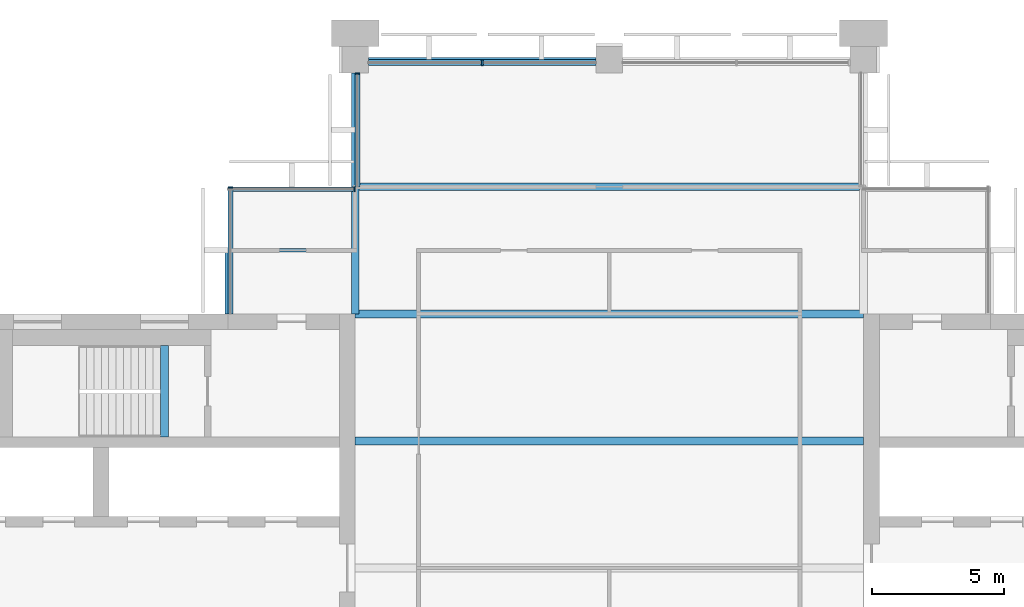
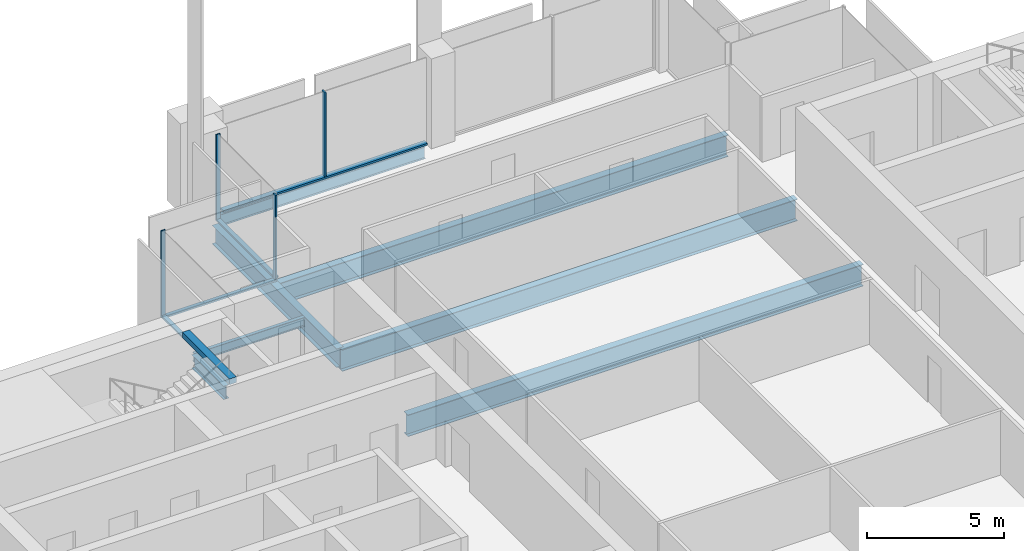
# One storey, part 5 of 13: 8 beams, 8 members, 4 elements without a shape of their own.
"""IFC4 building model written with IfcOpenShell, lengths in metres."""

from ifc_helpers import new_model, si_unit, direction, frame, origin, origin_2d, place, context, subcontext, project, spatial, rectangle, i_section, extrude, material, material_profile, profile_set, type_object, element, aggregate, save


model = new_model("IFC4")

# Units and contexts
model_context = context("Model", 3, precision=1e-05, world=origin(), true_north=direction((0.0, 1.0)))
body_context = subcontext(model_context, "Body", "Model", "MODEL_VIEW")
ifc_project = project(units=[si_unit("LENGTHUNIT", "METRE"), si_unit("AREAUNIT", "SQUARE_METRE"), si_unit("VOLUMEUNIT", "CUBIC_METRE"), si_unit("PLANEANGLEUNIT", "RADIAN"), si_unit("MASSUNIT", "GRAM", prefix="KILO")], contexts=[model_context])

# Site, building, storey
site_placement = place(None, origin())
site = spatial("IfcSite", under=ifc_project, at=site_placement, CompositionType="ELEMENT")
building_placement = place(site_placement, origin())
building = spatial("IfcBuilding", under=site, at=building_placement, Name="Baori Bourse Tower", CompositionType="ELEMENT")
storey_placement = place(building_placement, frame((0.0, 0.0, 294.300048828125)))
storey = spatial("IfcBuildingStorey", under=building, at=storey_placement, Name="L64", CompositionType="ELEMENT", Elevation=294.300048828125)

# Curtain wall, member
ifc_material_1 = material(Name="Pale anodised aluminium", Category="aluminium")
curtain_wall_type_1 = type_object("IfcCurtainWallType", Name="CW2 Curtain wall", PredefinedType="NOTDEFINED", material=ifc_material_1)
curtain_wall_1_placement = place(storey_placement, origin())
curtain_wall_1 = element("IfcCurtainWall", 1, at=curtain_wall_1_placement, inside=storey, type_object=curtain_wall_type_1, Name="Curtain wall CW2 L64 5", PredefinedType="NOTDEFINED")
ifc_material_2 = material(Name="Pale anodised aluminium", Category="aluminium")
ifc_material_profile_1 = material_profile(ifc_material_2, rectangle(XDim=0.179931640625, YDim=0.054931640625, at=origin_2d()), Name="Mullion 55x180")
ifc_profile_set_1 = profile_set([ifc_material_profile_1], Name="Pale anodised aluminium")
member_type_1 = type_object("IfcMemberType", Name="CW2 Curtain wall mullion", PredefinedType="MULLION", material=ifc_profile_set_1)
member_1_placement = place(storey_placement, frame((19.2900390625, 47.472412109375, 0.070068359375), z_axis=(0.0, 0.0, 1.0), x_axis=(1.0, 0.0, 0.0)))
member_1 = element("IfcMember", 2, at=member_1_placement, type_object=member_type_1, Name="Curtain wall CW2 mullion", PredefinedType="MULLION", context=body_context, shape_type="SweptSolid", body=[
    extrude(rectangle(XDim=0.179931640625, YDim=0.054931640625, at=origin_2d()), origin(), (0.0, 0.0, 1.0), 3.769775390625),
])

curtain_wall_2_placement = place(storey_placement, origin())
curtain_wall_2 = element("IfcCurtainWall", 3, at=curtain_wall_2_placement, inside=storey, type_object=curtain_wall_type_1, Name="Curtain wall CW2 L64 6", PredefinedType="NOTDEFINED")
member_2_placement = place(storey_placement, frame((19.172607421875, 43.110107421875, 0.070068359375), z_axis=(0.0, 0.0, 1.0), x_axis=(0.0, -1.0, 0.0)))
member_2 = element("IfcMember", 4, at=member_2_placement, type_object=member_type_1, Name="Curtain wall CW2 mullion", PredefinedType="MULLION", context=body_context, shape_type="SweptSolid", body=[
    extrude(rectangle(XDim=0.179931640625, YDim=0.054931640625, at=origin_2d()), origin(), (0.0, 0.0, 1.0), 3.769775390625),
])

curtain_wall_3_placement = place(storey_placement, origin())
curtain_wall_3 = element("IfcCurtainWall", 5, at=curtain_wall_3_placement, inside=storey, type_object=curtain_wall_type_1, Name="Curtain wall CW2 L64 7", PredefinedType="NOTDEFINED")
member_3_placement = place(storey_placement, frame((14.489990234375, 43.172607421875, 0.070068359375), z_axis=(0.0, 0.0, 1.0), x_axis=(1.0, 0.0, 0.0)))
member_3 = element("IfcMember", 6, at=member_3_placement, type_object=member_type_1, Name="Curtain wall CW2 mullion", PredefinedType="MULLION", context=body_context, shape_type="SweptSolid", body=[
    extrude(rectangle(XDim=0.179931640625, YDim=0.054931640625, at=origin_2d()), origin(), (0.0, 0.0, 1.0), 3.769775390625),
])

# Member
ifc_material_3 = material(Name="Pale anodised aluminium", Category="aluminium")
ifc_material_profile_2 = material_profile(ifc_material_3, rectangle(XDim=0.179931640625, YDim=0.070068359375, at=origin_2d()), Name="Transom 70x180")
ifc_profile_set_2 = profile_set([ifc_material_profile_2], Name="Pale anodised aluminium")
member_type_2 = type_object("IfcMemberType", Name="CW2 Curtain wall transom", PredefinedType="USERDEFINED", material=ifc_profile_set_2)
member_4_placement = place(storey_placement, frame((19.2900390625, 47.5, 0.034912109375), z_axis=(0.0, -1.0, 0.0), x_axis=(1.0, 0.0, 0.0)))
member_4 = element("IfcMember", 7, at=member_4_placement, type_object=member_type_2, Name="Curtain wall CW2 sill rail", ObjectType="TRANSOM", PredefinedType="USERDEFINED", context=body_context, shape_type="SweptSolid", body=[
    extrude(rectangle(XDim=0.179931640625, YDim=0.070068359375, at=origin_2d()), origin(), (0.0, 0.0, 1.0), 4.300048828125),
])

aggregate(curtain_wall_1, [member_4, member_1])

member_5_placement = place(storey_placement, frame((19.199951171875, 43.110107421875, 0.034912109375), z_axis=(-1.0, 0.0, 0.0), x_axis=(0.0, -1.0, 0.0)))
member_5 = element("IfcMember", 8, at=member_5_placement, type_object=member_type_2, Name="Curtain wall CW2 sill rail", ObjectType="TRANSOM", PredefinedType="USERDEFINED", context=body_context, shape_type="SweptSolid", body=[
    extrude(rectangle(XDim=0.179931640625, YDim=0.070068359375, at=origin_2d()), origin(), (0.0, 0.0, 1.0), 4.800048828125),
])

aggregate(curtain_wall_2, [member_5, member_2])

member_6_placement = place(storey_placement, frame((14.489990234375, 43.199951171875, 0.034912109375), z_axis=(0.0, -1.0, 0.0), x_axis=(1.0, 0.0, 0.0)))
member_6 = element("IfcMember", 9, at=member_6_placement, type_object=member_type_2, Name="Curtain wall CW2 sill rail", ObjectType="TRANSOM", PredefinedType="USERDEFINED", context=body_context, shape_type="SweptSolid", body=[
    extrude(rectangle(XDim=0.179931640625, YDim=0.070068359375, at=origin_2d()), origin(), (0.0, 0.0, 1.0), 4.800048828125),
])

aggregate(curtain_wall_3, [member_6, member_3])

# Curtain wall, members
ifc_material_4 = material(Name="Pale anodised aluminium", Category="aluminium")
curtain_wall_type_2 = type_object("IfcCurtainWallType", Name="CW5 Curtain wall", PredefinedType="NOTDEFINED", material=ifc_material_4)
curtain_wall_4_placement = place(storey_placement, origin())
curtain_wall_4 = element("IfcCurtainWall", 10, at=curtain_wall_4_placement, inside=storey, type_object=curtain_wall_type_2, Name="Curtain wall CW5 L64 4", PredefinedType="NOTDEFINED")
ifc_material_5 = material(Name="Pale anodised aluminium", Category="aluminium")
ifc_material_profile_3 = material_profile(ifc_material_5, rectangle(XDim=0.219970703125, YDim=0.06494140625, at=origin_2d()), Name="Mullion 65x220")
ifc_profile_set_3 = profile_set([ifc_material_profile_3], Name="Pale anodised aluminium")
member_type_3 = type_object("IfcMemberType", Name="CW5 Curtain wall mullion", PredefinedType="MULLION", material=ifc_profile_set_3)
member_7_placement = place(storey_placement, frame((24.0, 47.889892578125, 0.0849609375), z_axis=(0.0, 0.0, 1.0), x_axis=(0.0, -1.0, 0.0)))
member_7 = element("IfcMember", 11, at=member_7_placement, type_object=member_type_3, Name="Curtain wall CW5 mullion", PredefinedType="MULLION", context=body_context, shape_type="SweptSolid", body=[
    extrude(rectangle(XDim=0.219970703125, YDim=0.06494140625, at=origin_2d()), origin(), (0.0, 0.0, 1.0), 3.7548828125),
])
ifc_material_6 = material(Name="Pale anodised aluminium", Category="aluminium")
ifc_material_profile_4 = material_profile(ifc_material_6, rectangle(XDim=0.219970703125, YDim=0.0849609375, at=origin_2d()), Name="Transom 85x220")
ifc_profile_set_4 = profile_set([ifc_material_profile_4], Name="Pale anodised aluminium")
member_type_4 = type_object("IfcMemberType", Name="CW5 Curtain wall transom", PredefinedType="USERDEFINED", material=ifc_profile_set_4)
member_8_placement = place(storey_placement, frame((28.300048828125, 47.889892578125, 0.04248046875), z_axis=(-1.0, 0.0, 0.0), x_axis=(0.0, -1.0, 0.0)))
member_8 = element("IfcMember", 12, at=member_8_placement, type_object=member_type_4, Name="Curtain wall CW5 sill rail", ObjectType="TRANSOM", PredefinedType="USERDEFINED", context=body_context, shape_type="SweptSolid", body=[
    extrude(rectangle(XDim=0.219970703125, YDim=0.0849609375, at=origin_2d()), origin(), (0.0, 0.0, 1.0), 8.60009765625),
])
aggregate(curtain_wall_4, [member_8, member_7])

# Beams
ifc_material_7 = material(Name="Steel A992 Gr 50", Category="steel")
ifc_material_profile_5 = material_profile(ifc_material_7, i_section(OverallWidth=0.227783203125, OverallDepth=0.60205078125, WebThickness=0.010498046875, FlangeThickness=0.014892578125, at=origin_2d()), Name="W24x68")
ifc_profile_set_5 = profile_set([ifc_material_profile_5], Name="Steel A992 Gr 50")
beam_type_1 = type_object("IfcBeamType", Name="Core bracket W24x68", PredefinedType="BEAM", material=ifc_profile_set_5)
beam_1_placement = place(storey_placement, frame((14.39990234375, 38.39990234375, -0.4609375), z_axis=(0.0, 1.0, 0.0), x_axis=(-1.0, 0.0, 0.0)))
element("IfcBeam", 13, at=beam_1_placement, inside=storey, type_object=beam_type_1, Name="Core bracket L64", PredefinedType="BEAM", context=body_context, shape_type="SweptSolid", body=[
    extrude(i_section(OverallWidth=0.227783203125, OverallDepth=0.60205078125, WebThickness=0.010498046875, FlangeThickness=0.014892578125, at=origin_2d()), origin(), (0.0, 0.0, 1.0), 2.329833984375),
])
ifc_material_8 = material(Name="Steel A992 Gr 50", Category="steel")
ifc_material_profile_6 = material_profile(ifc_material_8, i_section(OverallWidth=0.1650390625, OverallDepth=0.52587890625, WebThickness=0.0087890625, FlangeThickness=0.011474609375, at=origin_2d()), Name="W21x44")
ifc_profile_set_6 = profile_set([ifc_material_profile_6], Name="Steel A992 Gr 50")
beam_type_2 = type_object("IfcBeamType", Name="Edge beam W21x44", PredefinedType="BEAM", material=ifc_profile_set_6)
beam_2_placement = place(storey_placement, frame((19.699951171875, 48.0, -0.4228515625), z_axis=(1.0, 0.0, 0.0), x_axis=(0.0, 1.0, 0.0)))
element("IfcBeam", 14, at=beam_2_placement, inside=storey, type_object=beam_type_2, Name="Edge beam L64", PredefinedType="BEAM", context=body_context, shape_type="SweptSolid", body=[
    extrude(i_section(OverallWidth=0.1650390625, OverallDepth=0.52587890625, WebThickness=0.0087890625, FlangeThickness=0.011474609375, at=origin_2d()), origin(), (0.0, 0.0, 1.0), 8.60009765625),
])
ifc_material_9 = material(Name="Steel A992 Gr 50", Category="steel")
ifc_material_profile_7 = material_profile(ifc_material_9, i_section(OverallWidth=0.2998046875, OverallDepth=0.97021484375, WebThickness=0.01611328125, FlangeThickness=0.02099609375, at=origin_2d()), Name="W40x149")
ifc_profile_set_7 = profile_set([ifc_material_profile_7], Name="Steel A992 Gr 50")
beam_type_3 = type_object("IfcBeamType", Name="Floor beam W40x149", PredefinedType="BEAM", material=ifc_profile_set_7)
for number, where, z_axis, x_axis, name in (
    (15, (19.199951171875, 33.60009765625, -0.645263671875), (1.0, 0.0, 0.0), (0.0, 1.0, 0.0), "Floor beam L64"),
    (16, (19.199951171875, 38.39990234375, -0.645263671875), (1.0, 0.0, 0.0), (0.0, 1.0, 0.0), "Floor beam L64"),
):
    element("IfcBeam", number, at=place(storey_placement, frame(where, z_axis=z_axis, x_axis=x_axis)), inside=storey, type_object=beam_type_3, Name=name, PredefinedType="BEAM", context=body_context, shape_type="SweptSolid", body=[
        extrude(i_section(OverallWidth=0.2998046875, OverallDepth=0.97021484375, WebThickness=0.01611328125, FlangeThickness=0.02099609375, at=origin_2d()), origin(), (0.0, 0.0, 1.0), 19.199951171875),
    ])
beam_3_placement = place(storey_placement, frame((19.345947265625, 43.199951171875, -0.645263671875), z_axis=(1.0, 0.0, 0.0), x_axis=(0.0, 1.0, 0.0)))
element("IfcBeam", 17, at=beam_3_placement, inside=storey, type_object=beam_type_3, Name="Floor beam L64", PredefinedType="BEAM", context=body_context, shape_type="SweptSolid", body=[
    extrude(i_section(OverallWidth=0.2998046875, OverallDepth=0.97021484375, WebThickness=0.01611328125, FlangeThickness=0.02099609375, at=origin_2d()), origin(), (0.0, 0.0, 1.0), 18.907958984375),
])
ifc_material_10 = material(Name="Steel A992 Gr 50", Category="steel")
ifc_material_profile_8 = material_profile(ifc_material_10, i_section(OverallWidth=0.2919921875, OverallDepth=0.835693359375, WebThickness=0.013916015625, FlangeThickness=0.018798828125, at=origin_2d()), Name="W33x118")
ifc_profile_set_8 = profile_set([ifc_material_profile_8], Name="Steel A992 Gr 50")
beam_type_4 = type_object("IfcBeamType", Name="Girder W33x118", PredefinedType="BEAM", material=ifc_profile_set_8)
beam_4_placement = place(storey_placement, frame((19.199951171875, 38.39990234375, -0.577880859375), z_axis=(0.0, 1.0, 0.0), x_axis=(-1.0, 0.0, 0.0)))
element("IfcBeam", 18, at=beam_4_placement, inside=storey, type_object=beam_type_4, Name="Girder L64", PredefinedType="BEAM", context=body_context, shape_type="SweptSolid", body=[
    extrude(i_section(OverallWidth=0.2919921875, OverallDepth=0.835693359375, WebThickness=0.013916015625, FlangeThickness=0.018798828125, at=origin_2d()), origin(), (0.0, 0.0, 1.0), 9.10009765625),
])
ifc_material_11 = material(Name="Concrete f'c 50 MPa", Category="concrete")
ifc_material_profile_9 = material_profile(ifc_material_11, rectangle(XDim=0.300048828125, YDim=0.25, at=origin_2d()), Name="RC 300x250")
ifc_profile_set_9 = profile_set([ifc_material_profile_9], Name="Concrete f'c 50 MPa")
beam_type_5 = type_object("IfcBeamType", Name="Stair nib beam RC 300x250", PredefinedType="BEAM", material=ifc_profile_set_9)
beam_5_placement = place(storey_placement, frame((12.0, 33.75, 3.71484375), z_axis=(0.0, 1.0, 0.0), x_axis=(-1.0, 0.0, 0.0)))
element("IfcBeam", 19, at=beam_5_placement, inside=storey, type_object=beam_type_5, Name="Stair WB nib beam L65", PredefinedType="BEAM", context=body_context, shape_type="SweptSolid", body=[
    extrude(rectangle(XDim=0.300048828125, YDim=0.25, at=origin_2d()), origin(), (0.0, 0.0, 1.0), 3.449951171875),
])
ifc_material_12 = material(Name="Steel A992 Gr 50", Category="steel")
ifc_material_profile_10 = material_profile(ifc_material_12, i_section(OverallWidth=0.140380859375, OverallDepth=0.40380859375, WebThickness=0.007080078125, FlangeThickness=0.01123046875, at=origin_2d()), Name="W16x31")
ifc_profile_set_10 = profile_set([ifc_material_profile_10], Name="Steel A992 Gr 50")
beam_type_6 = type_object("IfcBeamType", Name="Trimmer beam W16x31", PredefinedType="BEAM", material=ifc_profile_set_10)
beam_6_placement = place(storey_placement, frame((14.39990234375, 40.800048828125, -0.362060546875), z_axis=(1.0, 0.0, 0.0), x_axis=(0.0, 1.0, 0.0)))
element("IfcBeam", 20, at=beam_6_placement, inside=storey, type_object=beam_type_6, Name="Trimmer beam L64", PredefinedType="BEAM", context=body_context, shape_type="SweptSolid", body=[
    extrude(i_section(OverallWidth=0.140380859375, OverallDepth=0.40380859375, WebThickness=0.007080078125, FlangeThickness=0.01123046875, at=origin_2d()), origin(), (0.0, 0.0, 1.0), 4.654052734375),
])

save(model, "model.ifc")
